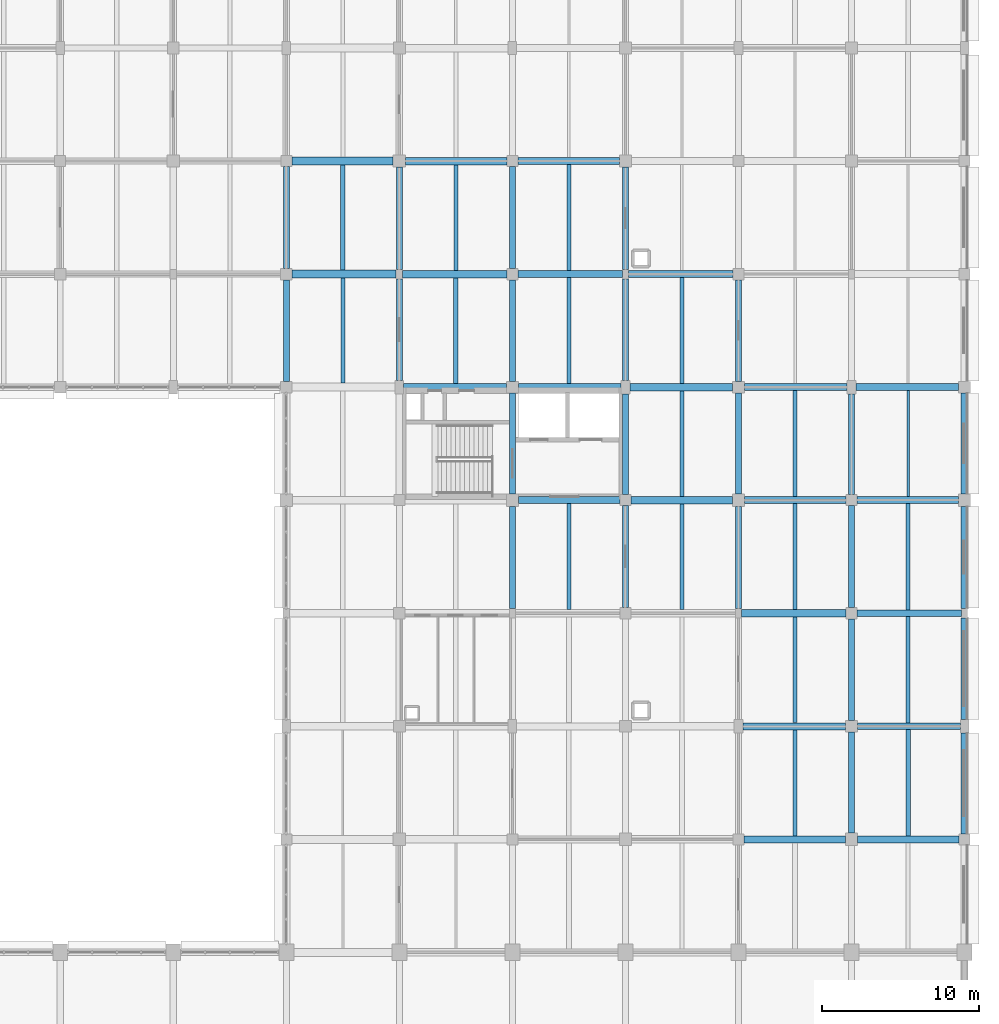
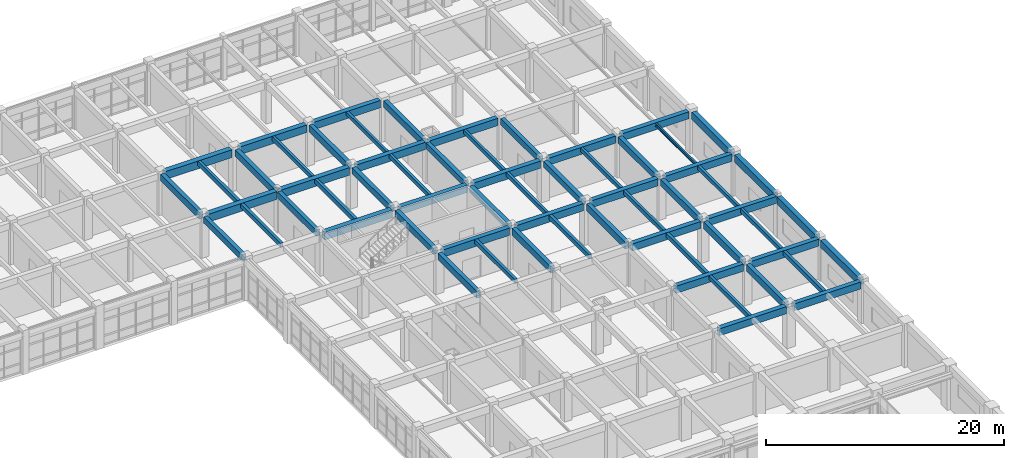
# One storey, part 110 of 171: 63 beams.
"""IFC4 building model written with IfcOpenShell, lengths in metres."""

from ifc_helpers import new_model, si_unit, direction, frame, origin, origin_2d, place, context, subcontext, project, spatial, rectangle, i_section, extrude, material, material_profile, profile_set, type_object, element, save


model = new_model("IFC4")

# Units and contexts
model_context = context("Model", 3, precision=1e-05, world=origin(), true_north=direction((0.0, 1.0)))
body_context = subcontext(model_context, "Body", "Model", "MODEL_VIEW")
ifc_project = project(units=[si_unit("LENGTHUNIT", "METRE"), si_unit("AREAUNIT", "SQUARE_METRE"), si_unit("VOLUMEUNIT", "CUBIC_METRE"), si_unit("PLANEANGLEUNIT", "RADIAN"), si_unit("MASSUNIT", "GRAM", prefix="KILO")], contexts=[model_context])

# Site, building, storey
site_placement = place(None, origin())
site = spatial("IfcSite", under=ifc_project, at=site_placement, CompositionType="ELEMENT")
building_placement = place(site_placement, origin())
building = spatial("IfcBuilding", under=site, at=building_placement, Name="Thalmaran Polytechnic", CompositionType="ELEMENT")
storey_placement = place(building_placement, frame((0.0, 0.0, 5.39990234375)))
storey = spatial("IfcBuildingStorey", under=building, at=storey_placement, Name="L01", CompositionType="ELEMENT", Elevation=5.39990234375)

# Beams
ifc_material_1 = material(Name="Concrete C40/50", Category="concrete")
ifc_material_profile_1 = material_profile(ifc_material_1, rectangle(XDim=0.5, YDim=0.800048828125, at=origin_2d()), Name="RC 500x800")
ifc_profile_set_1 = profile_set([ifc_material_profile_1], Name="Concrete C40/50")
beam_type_1 = type_object("IfcBeamType", Name="BM-RC02", PredefinedType="BEAM", material=ifc_profile_set_1)
beam_1_placement = place(storey_placement, frame((129.9599609375, 100.800048828125, 3.81005859375), z_axis=(1.0, 0.0, 0.0), x_axis=(0.0, 1.0, 0.0)))
element("IfcBeam", 1, at=beam_1_placement, inside=storey, type_object=beam_type_1, Name="Grid Beam B02 L01 X(18,14)", PredefinedType="BEAM", context=body_context, shape_type="SweptSolid", body=[
    extrude(rectangle(XDim=0.5, YDim=0.800048828125, at=origin_2d()), origin(), (0.0, 0.0, 1.0), 6.64013671875),
])
beam_2_placement = place(storey_placement, frame((129.949951171875, 108.0, 3.81005859375), z_axis=(1.0, 0.0, 0.0), x_axis=(0.0, 1.0, 0.0)))
element("IfcBeam", 2, at=beam_2_placement, inside=storey, type_object=beam_type_1, Name="Grid Beam B02 L01 X(18,15)", PredefinedType="BEAM", context=body_context, shape_type="SweptSolid", body=[
    extrude(rectangle(XDim=0.5, YDim=0.800048828125, at=origin_2d()), origin(), (0.0, 0.0, 1.0), 6.4599609375),
])
ifc_material_profile_2 = material_profile(ifc_material_1, rectangle(XDim=0.449951171875, YDim=0.75, at=origin_2d()), Name="RC 450x750")
ifc_profile_set_2 = profile_set([ifc_material_profile_2], Name="Concrete C40/50")
beam_type_2 = type_object("IfcBeamType", Name="BM-RC03", PredefinedType="BEAM", material=ifc_profile_set_2)
beam_3_placement = place(storey_placement, frame((144.389892578125, 86.39990234375, 3.835205078125), z_axis=(1.0, 0.0, 0.0), x_axis=(0.0, 1.0, 0.0)))
element("IfcBeam", 3, at=beam_3_placement, inside=storey, type_object=beam_type_2, Name="Grid Beam B03 L01 X(20,12)", PredefinedType="BEAM", context=body_context, shape_type="SweptSolid", body=[
    extrude(rectangle(XDim=0.449951171875, YDim=0.75, at=origin_2d()), origin(), (0.0, 0.0, 1.0), 6.460205078125),
])
beam_4_placement = place(storey_placement, frame((144.375, 93.60009765625, 3.835205078125), z_axis=(1.0, 0.0, 0.0), x_axis=(0.0, 1.0, 0.0)))
element("IfcBeam", 4, at=beam_4_placement, inside=storey, type_object=beam_type_2, Name="Grid Beam B03 L01 X(20,13)", PredefinedType="BEAM", context=body_context, shape_type="SweptSolid", body=[
    extrude(rectangle(XDim=0.449951171875, YDim=0.75, at=origin_2d()), origin(), (0.0, 0.0, 1.0), 6.550048828125),
])
beam_5_placement = place(storey_placement, frame((144.360107421875, 100.800048828125, 3.835205078125), z_axis=(1.0, 0.0, 0.0), x_axis=(0.0, 1.0, 0.0)))
element("IfcBeam", 5, at=beam_5_placement, inside=storey, type_object=beam_type_2, Name="Grid Beam B03 L01 X(20,14)", PredefinedType="BEAM", context=body_context, shape_type="SweptSolid", body=[
    extrude(rectangle(XDim=0.449951171875, YDim=0.75, at=origin_2d()), origin(), (0.0, 0.0, 1.0), 6.639892578125),
])
beam_6_placement = place(storey_placement, frame((144.35009765625, 108.0, 3.835205078125), z_axis=(1.0, 0.0, 0.0), x_axis=(0.0, 1.0, 0.0)))
element("IfcBeam", 6, at=beam_6_placement, inside=storey, type_object=beam_type_2, Name="Grid Beam B03 L01 X(20,15)", PredefinedType="BEAM", context=body_context, shape_type="SweptSolid", body=[
    extrude(rectangle(XDim=0.449951171875, YDim=0.75, at=origin_2d()), origin(), (0.0, 0.0, 1.0), 6.4599609375),
])
ifc_material_profile_3 = material_profile(ifc_material_1, rectangle(XDim=0.449951171875, YDim=0.72509765625, at=origin_2d()), Name="RC 450x725")
ifc_profile_set_3 = profile_set([ifc_material_profile_3], Name="Concrete C40/50")
beam_type_3 = type_object("IfcBeamType", Name="BM-RC04", PredefinedType="BEAM", material=ifc_profile_set_3)
beam_7_placement = place(storey_placement, frame((158.75, 64.800048828125, 3.84765625), z_axis=(1.0, 0.0, 0.0), x_axis=(0.0, 1.0, 0.0)))
element("IfcBeam", 7, at=beam_7_placement, inside=storey, type_object=beam_type_3, Name="Grid Beam B04 L01 X(22,9)", PredefinedType="BEAM", context=body_context, shape_type="SweptSolid", body=[
    extrude(rectangle(XDim=0.449951171875, YDim=0.72509765625, at=origin_2d()), origin(), (0.0, 0.0, 1.0), 6.4599609375),
])
beam_8_placement = place(storey_placement, frame((158.675048828125, 72.0, 3.84765625), z_axis=(1.0, 0.0, 0.0), x_axis=(0.0, 1.0, 0.0)))
element("IfcBeam", 8, at=beam_8_placement, inside=storey, type_object=beam_type_3, Name="Grid Beam B04 L01 X(22,10)", PredefinedType="BEAM", context=body_context, shape_type="SweptSolid", body=[
    extrude(rectangle(XDim=0.449951171875, YDim=0.72509765625, at=origin_2d()), origin(), (0.0, 0.0, 1.0), 6.550048828125),
])
beam_9_placement = place(storey_placement, frame((158.60009765625, 79.199951171875, 3.84765625), z_axis=(1.0, 0.0, 0.0), x_axis=(0.0, 1.0, 0.0)))
element("IfcBeam", 9, at=beam_9_placement, inside=storey, type_object=beam_type_3, Name="Grid Beam B04 L01 X(22,11)", PredefinedType="BEAM", context=body_context, shape_type="SweptSolid", body=[
    extrude(rectangle(XDim=0.449951171875, YDim=0.72509765625, at=origin_2d()), origin(), (0.0, 0.0, 1.0), 6.639892578125),
])
beam_10_placement = place(storey_placement, frame((158.7900390625, 86.39990234375, 3.84765625), z_axis=(1.0, 0.0, 0.0), x_axis=(0.0, 1.0, 0.0)))
element("IfcBeam", 10, at=beam_10_placement, inside=storey, type_object=beam_type_3, Name="Grid Beam B04 L01 X(22,12)", PredefinedType="BEAM", context=body_context, shape_type="SweptSolid", body=[
    extrude(rectangle(XDim=0.449951171875, YDim=0.72509765625, at=origin_2d()), origin(), (0.0, 0.0, 1.0), 6.4599609375),
])
beam_11_placement = place(storey_placement, frame((158.77490234375, 93.60009765625, 3.84765625), z_axis=(1.0, 0.0, 0.0), x_axis=(0.0, 1.0, 0.0)))
element("IfcBeam", 11, at=beam_11_placement, inside=storey, type_object=beam_type_3, Name="Grid Beam B04 L01 X(22,13)", PredefinedType="BEAM", context=body_context, shape_type="SweptSolid", body=[
    extrude(rectangle(XDim=0.449951171875, YDim=0.72509765625, at=origin_2d()), origin(), (0.0, 0.0, 1.0), 6.550048828125),
])
ifc_material_profile_4 = material_profile(ifc_material_1, rectangle(XDim=0.39990234375, YDim=0.6298828125, at=origin_2d()), Name="RC 400x630")
ifc_profile_set_4 = profile_set([ifc_material_profile_4], Name="Concrete C40/50")
beam_type_4 = type_object("IfcBeamType", Name="BM-RC07", PredefinedType="BEAM", material=ifc_profile_set_4)
beam_12_placement = place(storey_placement, frame((144.0, 86.7900390625, 3.89501953125), z_axis=(0.0, 1.0, 0.0), x_axis=(-1.0, 0.0, 0.0)))
element("IfcBeam", 12, at=beam_12_placement, inside=storey, type_object=beam_type_4, Name="Grid Beam B07 L01 Y(20,12)", PredefinedType="BEAM", context=body_context, shape_type="SweptSolid", body=[
    extrude(rectangle(XDim=0.39990234375, YDim=0.6298828125, at=origin_2d()), origin(), (0.0, 0.0, 1.0), 6.43505859375),
])
beam_13_placement = place(storey_placement, frame((151.199951171875, 86.75, 3.89501953125), z_axis=(0.0, 1.0, 0.0), x_axis=(-1.0, 0.0, 0.0)))
element("IfcBeam", 13, at=beam_13_placement, inside=storey, type_object=beam_type_4, Name="Grid Beam B07 L01 Y(21,12)", PredefinedType="BEAM", context=body_context, shape_type="SweptSolid", body=[
    extrude(rectangle(XDim=0.39990234375, YDim=0.6298828125, at=origin_2d()), origin(), (0.0, 0.0, 1.0), 6.425048828125),
])
beam_14_placement = place(storey_placement, frame((158.39990234375, 86.7900390625, 3.89501953125), z_axis=(0.0, 1.0, 0.0), x_axis=(-1.0, 0.0, 0.0)))
element("IfcBeam", 14, at=beam_14_placement, inside=storey, type_object=beam_type_4, Name="Grid Beam B07 L01 Y(22,12)", PredefinedType="BEAM", context=body_context, shape_type="SweptSolid", body=[
    extrude(rectangle(XDim=0.39990234375, YDim=0.6298828125, at=origin_2d()), origin(), (0.0, 0.0, 1.0), 6.43505859375),
])
beam_15_placement = place(storey_placement, frame((165.60009765625, 86.75, 3.89501953125), z_axis=(0.0, 1.0, 0.0), x_axis=(-1.0, 0.0, 0.0)))
element("IfcBeam", 15, at=beam_15_placement, inside=storey, type_object=beam_type_4, Name="Grid Beam B07 L01 Y(23,12)", PredefinedType="BEAM", context=body_context, shape_type="SweptSolid", body=[
    extrude(rectangle(XDim=0.39990234375, YDim=0.6298828125, at=origin_2d()), origin(), (0.0, 0.0, 1.0), 6.425048828125),
])
ifc_material_profile_5 = material_profile(ifc_material_1, rectangle(XDim=0.389892578125, YDim=0.68505859375, at=origin_2d()), Name="RC 390x685")
ifc_profile_set_5 = profile_set([ifc_material_profile_5], Name="Concrete C40/50")
beam_type_5 = type_object("IfcBeamType", Name="BM-RC08", PredefinedType="BEAM", material=ifc_profile_set_5)
beam_16_placement = place(storey_placement, frame((129.60009765625, 101.159912109375, 3.86767578125), z_axis=(0.0, 1.0, 0.0), x_axis=(-1.0, 0.0, 0.0)))
element("IfcBeam", 16, at=beam_16_placement, inside=storey, type_object=beam_type_5, Name="Grid Beam B08 L01 Y(18,14)", PredefinedType="BEAM", context=body_context, shape_type="SweptSolid", body=[
    extrude(rectangle(XDim=0.389892578125, YDim=0.68505859375, at=origin_2d()), origin(), (0.0, 0.0, 1.0), 6.489990234375),
])
beam_17_placement = place(storey_placement, frame((136.800048828125, 101.10009765625, 3.86767578125), z_axis=(0.0, 1.0, 0.0), x_axis=(-1.0, 0.0, 0.0)))
element("IfcBeam", 17, at=beam_17_placement, inside=storey, type_object=beam_type_5, Name="Grid Beam B08 L01 Y(19,14)", PredefinedType="BEAM", context=body_context, shape_type="SweptSolid", body=[
    extrude(rectangle(XDim=0.389892578125, YDim=0.68505859375, at=origin_2d()), origin(), (0.0, 0.0, 1.0), 6.510009765625),
])
beam_18_placement = place(storey_placement, frame((144.0, 101.159912109375, 3.86767578125), z_axis=(0.0, 1.0, 0.0), x_axis=(-1.0, 0.0, 0.0)))
element("IfcBeam", 18, at=beam_18_placement, inside=storey, type_object=beam_type_5, Name="Grid Beam B08 L01 Y(20,14)", PredefinedType="BEAM", context=body_context, shape_type="SweptSolid", body=[
    extrude(rectangle(XDim=0.389892578125, YDim=0.68505859375, at=origin_2d()), origin(), (0.0, 0.0, 1.0), 6.489990234375),
])
beam_19_placement = place(storey_placement, frame((151.199951171875, 101.10009765625, 3.86767578125), z_axis=(0.0, 1.0, 0.0), x_axis=(-1.0, 0.0, 0.0)))
element("IfcBeam", 19, at=beam_19_placement, inside=storey, type_object=beam_type_5, Name="Grid Beam B08 L01 Y(21,14)", PredefinedType="BEAM", context=body_context, shape_type="SweptSolid", body=[
    extrude(rectangle(XDim=0.389892578125, YDim=0.68505859375, at=origin_2d()), origin(), (0.0, 0.0, 1.0), 6.510009765625),
])
ifc_material_profile_6 = material_profile(ifc_material_1, rectangle(XDim=0.389892578125, YDim=0.68994140625, at=origin_2d()), Name="RC 390x690")
ifc_profile_set_6 = profile_set([ifc_material_profile_6], Name="Concrete C40/50")
beam_type_6 = type_object("IfcBeamType", Name="BM-RC09", PredefinedType="BEAM", material=ifc_profile_set_6)
beam_20_placement = place(storey_placement, frame((165.60009765625, 65.18994140625, 3.864990234375), z_axis=(0.0, 1.0, 0.0), x_axis=(-1.0, 0.0, 0.0)))
element("IfcBeam", 20, at=beam_20_placement, inside=storey, type_object=beam_type_6, Name="Grid Beam B09 L01 Y(23,9)", PredefinedType="BEAM", context=body_context, shape_type="SweptSolid", body=[
    extrude(rectangle(XDim=0.389892578125, YDim=0.68994140625, at=origin_2d()), origin(), (0.0, 0.0, 1.0), 6.43505859375),
])
ifc_material_profile_7 = material_profile(ifc_material_1, rectangle(XDim=0.389892578125, YDim=0.695068359375, at=origin_2d()), Name="RC 390x695")
ifc_profile_set_7 = profile_set([ifc_material_profile_7], Name="Concrete C40/50")
beam_type_7 = type_object("IfcBeamType", Name="BM-RC10", PredefinedType="BEAM", material=ifc_profile_set_7)
beam_21_placement = place(storey_placement, frame((144.0, 79.5, 3.862548828125), z_axis=(0.0, 1.0, 0.0), x_axis=(-1.0, 0.0, 0.0)))
element("IfcBeam", 21, at=beam_21_placement, inside=storey, type_object=beam_type_7, Name="Grid Beam B10 L01 Y(20,11)", PredefinedType="BEAM", context=body_context, shape_type="SweptSolid", body=[
    extrude(rectangle(XDim=0.389892578125, YDim=0.695068359375, at=origin_2d()), origin(), (0.0, 0.0, 1.0), 6.510009765625),
])
beam_22_placement = place(storey_placement, frame((151.199951171875, 79.56005859375, 3.862548828125), z_axis=(0.0, 1.0, 0.0), x_axis=(-1.0, 0.0, 0.0)))
element("IfcBeam", 22, at=beam_22_placement, inside=storey, type_object=beam_type_7, Name="Grid Beam B10 L01 Y(21,11)", PredefinedType="BEAM", context=body_context, shape_type="SweptSolid", body=[
    extrude(rectangle(XDim=0.389892578125, YDim=0.695068359375, at=origin_2d()), origin(), (0.0, 0.0, 1.0), 6.489990234375),
])
beam_23_placement = place(storey_placement, frame((158.39990234375, 79.5, 3.862548828125), z_axis=(0.0, 1.0, 0.0), x_axis=(-1.0, 0.0, 0.0)))
element("IfcBeam", 23, at=beam_23_placement, inside=storey, type_object=beam_type_7, Name="Grid Beam B10 L01 Y(22,11)", PredefinedType="BEAM", context=body_context, shape_type="SweptSolid", body=[
    extrude(rectangle(XDim=0.389892578125, YDim=0.695068359375, at=origin_2d()), origin(), (0.0, 0.0, 1.0), 6.510009765625),
])
beam_24_placement = place(storey_placement, frame((165.60009765625, 79.56005859375, 3.862548828125), z_axis=(0.0, 1.0, 0.0), x_axis=(-1.0, 0.0, 0.0)))
element("IfcBeam", 24, at=beam_24_placement, inside=storey, type_object=beam_type_7, Name="Grid Beam B10 L01 Y(23,11)", PredefinedType="BEAM", context=body_context, shape_type="SweptSolid", body=[
    extrude(rectangle(XDim=0.389892578125, YDim=0.695068359375, at=origin_2d()), origin(), (0.0, 0.0, 1.0), 6.489990234375),
])
ifc_material_profile_8 = material_profile(ifc_material_1, rectangle(XDim=0.280029296875, YDim=0.449951171875, at=origin_2d()), Name="RC 280x450")
ifc_profile_set_8 = profile_set([ifc_material_profile_8], Name="Concrete C40/50")
beam_type_8 = type_object("IfcBeamType", Name="BM-RC13", PredefinedType="JOIST", material=ifc_profile_set_8)
beam_25_placement = place(storey_placement, frame((133.199951171875, 101.050048828125, 3.985107421875), z_axis=(0.0, 1.0, 0.0), x_axis=(-1.0, 0.0, 0.0)))
element("IfcBeam", 25, at=beam_25_placement, inside=storey, type_object=beam_type_8, Name="Secondary Floor Rib RB03 L01 (18,14)", PredefinedType="JOIST", context=body_context, shape_type="SweptSolid", body=[
    extrude(rectangle(XDim=0.280029296875, YDim=0.449951171875, at=origin_2d()), origin(), (0.0, 0.0, 1.0), 6.699951171875),
])
beam_26_placement = place(storey_placement, frame((140.39990234375, 93.840087890625, 3.985107421875), z_axis=(0.0, 1.0, 0.0), x_axis=(-1.0, 0.0, 0.0)))
element("IfcBeam", 26, at=beam_26_placement, inside=storey, type_object=beam_type_8, Name="Secondary Floor Rib RB03 L01 (19,13)", PredefinedType="JOIST", context=body_context, shape_type="SweptSolid", body=[
    extrude(rectangle(XDim=0.280029296875, YDim=0.449951171875, at=origin_2d()), origin(), (0.0, 0.0, 1.0), 6.719970703125),
])
beam_27_placement = place(storey_placement, frame((154.800048828125, 79.429931640625, 3.985107421875), z_axis=(0.0, 1.0, 0.0), x_axis=(-1.0, 0.0, 0.0)))
element("IfcBeam", 27, at=beam_27_placement, inside=storey, type_object=beam_type_8, Name="Secondary Floor Rib RB03 L01 (21,11)", PredefinedType="JOIST", context=body_context, shape_type="SweptSolid", body=[
    extrude(rectangle(XDim=0.280029296875, YDim=0.449951171875, at=origin_2d()), origin(), (0.0, 0.0, 1.0), 6.739990234375),
])
beam_28_placement = place(storey_placement, frame((162.0, 72.22509765625, 3.985107421875), z_axis=(0.0, 1.0, 0.0), x_axis=(-1.0, 0.0, 0.0)))
element("IfcBeam", 28, at=beam_28_placement, inside=storey, type_object=beam_type_8, Name="Secondary Floor Rib RB03 L01 (22,10)", PredefinedType="JOIST", context=body_context, shape_type="SweptSolid", body=[
    extrude(rectangle(XDim=0.280029296875, YDim=0.449951171875, at=origin_2d()), origin(), (0.0, 0.0, 1.0), 6.75),
])
beam_29_placement = place(storey_placement, frame((169.199951171875, 65.02001953125, 3.985107421875), z_axis=(0.0, 1.0, 0.0), x_axis=(-1.0, 0.0, 0.0)))
element("IfcBeam", 29, at=beam_29_placement, inside=storey, type_object=beam_type_8, Name="Secondary Floor Rib RB03 L01 (23,9)", PredefinedType="JOIST", context=body_context, shape_type="SweptSolid", body=[
    extrude(rectangle(XDim=0.280029296875, YDim=0.449951171875, at=origin_2d()), origin(), (0.0, 0.0, 1.0), 6.760009765625),
])
ifc_material_2 = material(Name="Steel S355", Category="steel")
ifc_material_profile_9 = material_profile(ifc_material_2, i_section(OverallWidth=0.159912109375, OverallDepth=0.330078125, WebThickness=0.007568359375, FlangeThickness=0.011474609375, at=origin_2d()), Name="IPE 330")
ifc_profile_set_9 = profile_set([ifc_material_profile_9], Name="Steel S355")
beam_type_9 = type_object("IfcBeamType", Name="BM-SJ02", PredefinedType="JOIST", material=ifc_profile_set_9)
beam_30_placement = place(storey_placement, frame((169.199951171875, 86.6201171875, 4.045166015625), z_axis=(0.0, 1.0, 0.0), x_axis=(-1.0, 0.0, 0.0)))
element("IfcBeam", 30, at=beam_30_placement, inside=storey, type_object=beam_type_9, Name="Secondary Floor Rib SJ02 L01 (23,12)", PredefinedType="JOIST", context=body_context, shape_type="SweptSolid", body=[
    extrude(i_section(OverallWidth=0.159912109375, OverallDepth=0.330078125, WebThickness=0.007568359375, FlangeThickness=0.011474609375, at=origin_2d()), origin(), (0.0, 0.0, 1.0), 6.759765625),
])
ifc_material_profile_10 = material_profile(ifc_material_1, rectangle(XDim=0.449951171875, YDim=0.7548828125, at=origin_2d()), Name="RC 450x755")
ifc_profile_set_10 = profile_set([ifc_material_profile_10], Name="Concrete C40/50")
beam_type_10 = type_object("IfcBeamType", Name="BM-SP02", PredefinedType="SPANDREL", material=ifc_profile_set_10)
beam_31_placement = place(storey_placement, frame((172.800048828125, 65.14990234375, 3.83251953125), z_axis=(0.0, 1.0, 0.0), x_axis=(-1.0, 0.0, 0.0)))
element("IfcBeam", 31, at=beam_31_placement, inside=storey, type_object=beam_type_10, Name="Grid Beam SP02 L01 Y(24,9)", PredefinedType="SPANDREL", context=body_context, shape_type="SweptSolid", body=[
    extrude(rectangle(XDim=0.449951171875, YDim=0.7548828125, at=origin_2d()), origin(), (0.0, 0.0, 1.0), 6.425048828125),
])
beam_32_placement = place(storey_placement, frame((172.800048828125, 72.425048828125, 3.83251953125), z_axis=(0.0, 1.0, 0.0), x_axis=(-1.0, 0.0, 0.0)))
element("IfcBeam", 32, at=beam_32_placement, inside=storey, type_object=beam_type_10, Name="Grid Beam SP02 L01 Y(24,10)", PredefinedType="SPANDREL", context=body_context, shape_type="SweptSolid", body=[
    extrude(rectangle(XDim=0.449951171875, YDim=0.7548828125, at=origin_2d()), origin(), (0.0, 0.0, 1.0), 6.474853515625),
])
beam_33_placement = place(storey_placement, frame((172.800048828125, 79.5, 3.83251953125), z_axis=(0.0, 1.0, 0.0), x_axis=(-1.0, 0.0, 0.0)))
element("IfcBeam", 33, at=beam_33_placement, inside=storey, type_object=beam_type_10, Name="Grid Beam SP02 L01 Y(24,11)", PredefinedType="SPANDREL", context=body_context, shape_type="SweptSolid", body=[
    extrude(rectangle(XDim=0.449951171875, YDim=0.7548828125, at=origin_2d()), origin(), (0.0, 0.0, 1.0), 6.510009765625),
])
beam_34_placement = place(storey_placement, frame((172.800048828125, 86.7900390625, 3.83251953125), z_axis=(0.0, 1.0, 0.0), x_axis=(-1.0, 0.0, 0.0)))
element("IfcBeam", 34, at=beam_34_placement, inside=storey, type_object=beam_type_10, Name="Grid Beam SP02 L01 Y(24,12)", PredefinedType="SPANDREL", context=body_context, shape_type="SweptSolid", body=[
    extrude(rectangle(XDim=0.449951171875, YDim=0.7548828125, at=origin_2d()), origin(), (0.0, 0.0, 1.0), 6.43505859375),
])
ifc_material_profile_11 = material_profile(ifc_material_1, rectangle(XDim=0.47998046875, YDim=0.780029296875, at=origin_2d()), Name="RC 480x780")
ifc_profile_set_11 = profile_set([ifc_material_profile_11], Name="Concrete C40/50")
beam_type_11 = type_object("IfcBeamType", Name="BM-ZB01", PredefinedType="BEAM", material=ifc_profile_set_11)
beam_35_placement = place(storey_placement, frame((137.074951171875, 93.60009765625, 3.820068359375), z_axis=(1.0, 0.0, 0.0), x_axis=(0.0, 1.0, 0.0)))
element("IfcBeam", 35, at=beam_35_placement, inside=storey, type_object=beam_type_11, Name="Grid Beam ZB01 L01 X(19,13)", PredefinedType="BEAM", context=body_context, shape_type="SweptSolid", body=[
    extrude(rectangle(XDim=0.47998046875, YDim=0.780029296875, at=origin_2d()), origin(), (0.0, 0.0, 1.0), 6.550048828125),
])
beam_36_placement = place(storey_placement, frame((137.0, 100.800048828125, 3.820068359375), z_axis=(1.0, 0.0, 0.0), x_axis=(0.0, 1.0, 0.0)))
element("IfcBeam", 36, at=beam_36_placement, inside=storey, type_object=beam_type_11, Name="Grid Beam ZB01 L01 X(19,14)", PredefinedType="BEAM", context=body_context, shape_type="SweptSolid", body=[
    extrude(rectangle(XDim=0.47998046875, YDim=0.780029296875, at=origin_2d()), origin(), (0.0, 0.0, 1.0), 6.639892578125),
])
beam_37_placement = place(storey_placement, frame((137.18994140625, 108.0, 3.820068359375), z_axis=(1.0, 0.0, 0.0), x_axis=(0.0, 1.0, 0.0)))
element("IfcBeam", 37, at=beam_37_placement, inside=storey, type_object=beam_type_11, Name="Grid Beam ZB01 L01 X(19,15)", PredefinedType="BEAM", context=body_context, shape_type="SweptSolid", body=[
    extrude(rectangle(XDim=0.47998046875, YDim=0.780029296875, at=origin_2d()), origin(), (0.0, 0.0, 1.0), 6.4599609375),
])
ifc_material_profile_12 = material_profile(ifc_material_1, rectangle(XDim=0.4599609375, YDim=0.739990234375, at=origin_2d()), Name="RC 460x740")
ifc_profile_set_12 = profile_set([ifc_material_profile_12], Name="Concrete C40/50")
beam_type_12 = type_object("IfcBeamType", Name="BM-ZB02", PredefinedType="BEAM", material=ifc_profile_set_12)
beam_38_placement = place(storey_placement, frame((151.550048828125, 86.39990234375, 3.840087890625), z_axis=(1.0, 0.0, 0.0), x_axis=(0.0, 1.0, 0.0)))
element("IfcBeam", 38, at=beam_38_placement, inside=storey, type_object=beam_type_12, Name="Grid Beam ZB02 L01 X(21,12)", PredefinedType="BEAM", context=body_context, shape_type="SweptSolid", body=[
    extrude(rectangle(XDim=0.4599609375, YDim=0.739990234375, at=origin_2d()), origin(), (0.0, 0.0, 1.0), 6.4599609375),
])
beam_39_placement = place(storey_placement, frame((151.47509765625, 93.60009765625, 3.840087890625), z_axis=(1.0, 0.0, 0.0), x_axis=(0.0, 1.0, 0.0)))
element("IfcBeam", 39, at=beam_39_placement, inside=storey, type_object=beam_type_12, Name="Grid Beam ZB02 L01 X(21,13)", PredefinedType="BEAM", context=body_context, shape_type="SweptSolid", body=[
    extrude(rectangle(XDim=0.4599609375, YDim=0.739990234375, at=origin_2d()), origin(), (0.0, 0.0, 1.0), 6.5498046875),
])
beam_40_placement = place(storey_placement, frame((151.39990234375, 100.800048828125, 3.840087890625), z_axis=(1.0, 0.0, 0.0), x_axis=(0.0, 1.0, 0.0)))
element("IfcBeam", 40, at=beam_40_placement, inside=storey, type_object=beam_type_12, Name="Grid Beam ZB02 L01 X(21,14)", PredefinedType="BEAM", context=body_context, shape_type="SweptSolid", body=[
    extrude(rectangle(XDim=0.4599609375, YDim=0.739990234375, at=origin_2d()), origin(), (0.0, 0.0, 1.0), 6.64013671875),
])
ifc_material_profile_13 = material_profile(ifc_material_1, rectangle(XDim=0.43994140625, YDim=0.719970703125, at=origin_2d()), Name="RC 440x720")
ifc_profile_set_13 = profile_set([ifc_material_profile_13], Name="Concrete C40/50")
beam_type_13 = type_object("IfcBeamType", Name="BM-ZB03", PredefinedType="BEAM", material=ifc_profile_set_13)
beam_41_placement = place(storey_placement, frame((165.989990234375, 64.800048828125, 3.85009765625), z_axis=(1.0, 0.0, 0.0), x_axis=(0.0, 1.0, 0.0)))
element("IfcBeam", 41, at=beam_41_placement, inside=storey, type_object=beam_type_13, Name="Grid Beam ZB03 L01 X(23,9)", PredefinedType="BEAM", context=body_context, shape_type="SweptSolid", body=[
    extrude(rectangle(XDim=0.43994140625, YDim=0.719970703125, at=origin_2d()), origin(), (0.0, 0.0, 1.0), 6.4599609375),
])
beam_42_placement = place(storey_placement, frame((165.97509765625, 72.0, 3.85009765625), z_axis=(1.0, 0.0, 0.0), x_axis=(0.0, 1.0, 0.0)))
element("IfcBeam", 42, at=beam_42_placement, inside=storey, type_object=beam_type_13, Name="Grid Beam ZB03 L01 X(23,10)", PredefinedType="BEAM", context=body_context, shape_type="SweptSolid", body=[
    extrude(rectangle(XDim=0.43994140625, YDim=0.719970703125, at=origin_2d()), origin(), (0.0, 0.0, 1.0), 6.5498046875),
])
beam_43_placement = place(storey_placement, frame((165.9599609375, 79.199951171875, 3.85009765625), z_axis=(1.0, 0.0, 0.0), x_axis=(0.0, 1.0, 0.0)))
element("IfcBeam", 43, at=beam_43_placement, inside=storey, type_object=beam_type_13, Name="Grid Beam ZB03 L01 X(23,11)", PredefinedType="BEAM", context=body_context, shape_type="SweptSolid", body=[
    extrude(rectangle(XDim=0.43994140625, YDim=0.719970703125, at=origin_2d()), origin(), (0.0, 0.0, 1.0), 6.64013671875),
])
beam_44_placement = place(storey_placement, frame((165.949951171875, 86.39990234375, 3.85009765625), z_axis=(1.0, 0.0, 0.0), x_axis=(0.0, 1.0, 0.0)))
element("IfcBeam", 44, at=beam_44_placement, inside=storey, type_object=beam_type_13, Name="Grid Beam ZB03 L01 X(23,12)", PredefinedType="BEAM", context=body_context, shape_type="SweptSolid", body=[
    extrude(rectangle(XDim=0.43994140625, YDim=0.719970703125, at=origin_2d()), origin(), (0.0, 0.0, 1.0), 6.4599609375),
])
beam_45_placement = place(storey_placement, frame((165.875, 93.60009765625, 3.85009765625), z_axis=(1.0, 0.0, 0.0), x_axis=(0.0, 1.0, 0.0)))
element("IfcBeam", 45, at=beam_45_placement, inside=storey, type_object=beam_type_13, Name="Grid Beam ZB03 L01 X(23,13)", PredefinedType="BEAM", context=body_context, shape_type="SweptSolid", body=[
    extrude(rectangle(XDim=0.43994140625, YDim=0.719970703125, at=origin_2d()), origin(), (0.0, 0.0, 1.0), 6.550048828125),
])
ifc_material_profile_14 = material_profile(ifc_material_1, rectangle(XDim=0.3798828125, YDim=0.635009765625, at=origin_2d()), Name="RC 380x635")
ifc_profile_set_14 = profile_set([ifc_material_profile_14], Name="Concrete C40/50")
beam_type_14 = type_object("IfcBeamType", Name="BM-ZB06", PredefinedType="BEAM", material=ifc_profile_set_14)
beam_46_placement = place(storey_placement, frame((129.60009765625, 93.97509765625, 3.892578125), z_axis=(0.0, 1.0, 0.0), x_axis=(-1.0, 0.0, 0.0)))
element("IfcBeam", 46, at=beam_46_placement, inside=storey, type_object=beam_type_14, Name="Grid Beam ZB06 L01 Y(18,13)", PredefinedType="BEAM", context=body_context, shape_type="SweptSolid", body=[
    extrude(rectangle(XDim=0.3798828125, YDim=0.635009765625, at=origin_2d()), origin(), (0.0, 0.0, 1.0), 6.46484375),
])
beam_47_placement = place(storey_placement, frame((136.800048828125, 94.02490234375, 3.892578125), z_axis=(0.0, 1.0, 0.0), x_axis=(-1.0, 0.0, 0.0)))
element("IfcBeam", 47, at=beam_47_placement, inside=storey, type_object=beam_type_14, Name="Grid Beam ZB06 L01 Y(19,13)", PredefinedType="BEAM", context=body_context, shape_type="SweptSolid", body=[
    extrude(rectangle(XDim=0.3798828125, YDim=0.635009765625, at=origin_2d()), origin(), (0.0, 0.0, 1.0), 6.47509765625),
])
beam_48_placement = place(storey_placement, frame((144.0, 93.97509765625, 3.892578125), z_axis=(0.0, 1.0, 0.0), x_axis=(-1.0, 0.0, 0.0)))
element("IfcBeam", 48, at=beam_48_placement, inside=storey, type_object=beam_type_14, Name="Grid Beam ZB06 L01 Y(20,13)", PredefinedType="BEAM", context=body_context, shape_type="SweptSolid", body=[
    extrude(rectangle(XDim=0.3798828125, YDim=0.635009765625, at=origin_2d()), origin(), (0.0, 0.0, 1.0), 6.46484375),
])
beam_49_placement = place(storey_placement, frame((151.199951171875, 94.02490234375, 3.892578125), z_axis=(0.0, 1.0, 0.0), x_axis=(-1.0, 0.0, 0.0)))
element("IfcBeam", 49, at=beam_49_placement, inside=storey, type_object=beam_type_14, Name="Grid Beam ZB06 L01 Y(21,13)", PredefinedType="BEAM", context=body_context, shape_type="SweptSolid", body=[
    extrude(rectangle(XDim=0.3798828125, YDim=0.635009765625, at=origin_2d()), origin(), (0.0, 0.0, 1.0), 6.47509765625),
])
beam_50_placement = place(storey_placement, frame((158.39990234375, 93.97509765625, 3.892578125), z_axis=(0.0, 1.0, 0.0), x_axis=(-1.0, 0.0, 0.0)))
element("IfcBeam", 50, at=beam_50_placement, inside=storey, type_object=beam_type_14, Name="Grid Beam ZB06 L01 Y(22,13)", PredefinedType="BEAM", context=body_context, shape_type="SweptSolid", body=[
    extrude(rectangle(XDim=0.3798828125, YDim=0.635009765625, at=origin_2d()), origin(), (0.0, 0.0, 1.0), 6.46484375),
])
ifc_material_profile_15 = material_profile(ifc_material_1, rectangle(XDim=0.39990234375, YDim=0.695068359375, at=origin_2d()), Name="RC 400x695")
ifc_profile_set_15 = profile_set([ifc_material_profile_15], Name="Concrete C40/50")
beam_type_15 = type_object("IfcBeamType", Name="BM-ZB08", PredefinedType="BEAM", material=ifc_profile_set_15)
beam_51_placement = place(storey_placement, frame((165.60009765625, 72.375, 3.862548828125), z_axis=(0.0, 1.0, 0.0), x_axis=(-1.0, 0.0, 0.0)))
element("IfcBeam", 51, at=beam_51_placement, inside=storey, type_object=beam_type_15, Name="Grid Beam ZB08 L01 Y(23,10)", PredefinedType="BEAM", context=body_context, shape_type="SweptSolid", body=[
    extrude(rectangle(XDim=0.39990234375, YDim=0.695068359375, at=origin_2d()), origin(), (0.0, 0.0, 1.0), 6.465087890625),
])
ifc_material_profile_16 = material_profile(ifc_material_1, rectangle(XDim=0.260009765625, YDim=0.43994140625, at=origin_2d()), Name="RC 260x440")
ifc_profile_set_16 = profile_set([ifc_material_profile_16], Name="Concrete C40/50")
beam_type_16 = type_object("IfcBeamType", Name="BM-ZJ02", PredefinedType="JOIST", material=ifc_profile_set_16)
beam_52_placement = place(storey_placement, frame((133.199951171875, 93.85009765625, 3.989990234375), z_axis=(0.0, 1.0, 0.0), x_axis=(-1.0, 0.0, 0.0)))
element("IfcBeam", 52, at=beam_52_placement, inside=storey, type_object=beam_type_16, Name="Secondary Floor Rib ZJ02 L01 (18,13)", PredefinedType="JOIST", context=body_context, shape_type="SweptSolid", body=[
    extrude(rectangle(XDim=0.260009765625, YDim=0.43994140625, at=origin_2d()), origin(), (0.0, 0.0, 1.0), 6.699951171875),
])
for number, where, z_axis, x_axis, name in (
    (53, (147.60009765625, 79.425048828125, 3.989990234375), (0.0, 1.0, 0.0), (-1.0, 0.0, 0.0), "Secondary Floor Rib ZJ02 L01 (20,11)"),
    (54, (162.0, 65.02490234375, 3.989990234375), (0.0, 1.0, 0.0), (-1.0, 0.0, 0.0), "Secondary Floor Rib ZJ02 L01 (22,9)"),
):
    element("IfcBeam", number, at=place(storey_placement, frame(where, z_axis=z_axis, x_axis=x_axis)), inside=storey, type_object=beam_type_16, Name=name, PredefinedType="JOIST", context=body_context, shape_type="SweptSolid", body=[
        extrude(rectangle(XDim=0.260009765625, YDim=0.43994140625, at=origin_2d()), origin(), (0.0, 0.0, 1.0), 6.75),
    ])
ifc_material_profile_17 = material_profile(ifc_material_1, rectangle(XDim=0.25, YDim=0.419921875, at=origin_2d()), Name="RC 250x420")
ifc_profile_set_17 = profile_set([ifc_material_profile_17], Name="Concrete C40/50")
beam_type_17 = type_object("IfcBeamType", Name="BM-ZJ03", PredefinedType="JOIST", material=ifc_profile_set_17)
beam_53_placement = place(storey_placement, frame((140.39990234375, 101.0400390625, 4.0), z_axis=(0.0, 1.0, 0.0), x_axis=(-1.0, 0.0, 0.0)))
element("IfcBeam", 55, at=beam_53_placement, inside=storey, type_object=beam_type_17, Name="Secondary Floor Rib ZJ03 L01 (19,14)", PredefinedType="JOIST", context=body_context, shape_type="SweptSolid", body=[
    extrude(rectangle(XDim=0.25, YDim=0.419921875, at=origin_2d()), origin(), (0.0, 0.0, 1.0), 6.719970703125),
])
beam_54_placement = place(storey_placement, frame((147.60009765625, 93.824951171875, 4.0), z_axis=(0.0, 1.0, 0.0), x_axis=(-1.0, 0.0, 0.0)))
element("IfcBeam", 56, at=beam_54_placement, inside=storey, type_object=beam_type_17, Name="Secondary Floor Rib ZJ03 L01 (20,13)", PredefinedType="JOIST", context=body_context, shape_type="SweptSolid", body=[
    extrude(rectangle(XDim=0.25, YDim=0.419921875, at=origin_2d()), origin(), (0.0, 0.0, 1.0), 6.75),
])
beam_55_placement = place(storey_placement, frame((154.800048828125, 86.6298828125, 4.0), z_axis=(0.0, 1.0, 0.0), x_axis=(-1.0, 0.0, 0.0)))
element("IfcBeam", 57, at=beam_55_placement, inside=storey, type_object=beam_type_17, Name="Secondary Floor Rib ZJ03 L01 (21,12)", PredefinedType="JOIST", context=body_context, shape_type="SweptSolid", body=[
    extrude(rectangle(XDim=0.25, YDim=0.419921875, at=origin_2d()), origin(), (0.0, 0.0, 1.0), 6.740234375),
])
beam_56_placement = place(storey_placement, frame((162.0, 79.425048828125, 4.0), z_axis=(0.0, 1.0, 0.0), x_axis=(-1.0, 0.0, 0.0)))
element("IfcBeam", 58, at=beam_56_placement, inside=storey, type_object=beam_type_17, Name="Secondary Floor Rib ZJ03 L01 (22,11)", PredefinedType="JOIST", context=body_context, shape_type="SweptSolid", body=[
    extrude(rectangle(XDim=0.25, YDim=0.419921875, at=origin_2d()), origin(), (0.0, 0.0, 1.0), 6.75),
])
beam_57_placement = place(storey_placement, frame((169.199951171875, 72.219970703125, 4.0), z_axis=(0.0, 1.0, 0.0), x_axis=(-1.0, 0.0, 0.0)))
element("IfcBeam", 59, at=beam_57_placement, inside=storey, type_object=beam_type_17, Name="Secondary Floor Rib ZJ03 L01 (23,10)", PredefinedType="JOIST", context=body_context, shape_type="SweptSolid", body=[
    extrude(rectangle(XDim=0.25, YDim=0.419921875, at=origin_2d()), origin(), (0.0, 0.0, 1.0), 6.760009765625),
])
ifc_material_profile_18 = material_profile(ifc_material_1, rectangle(XDim=0.239990234375, YDim=0.39990234375, at=origin_2d()), Name="RC 240x400")
ifc_profile_set_18 = profile_set([ifc_material_profile_18], Name="Concrete C40/50")
beam_type_18 = type_object("IfcBeamType", Name="BM-ZJ04", PredefinedType="JOIST", material=ifc_profile_set_18)
beam_58_placement = place(storey_placement, frame((147.60009765625, 101.02490234375, 4.010009765625), z_axis=(0.0, 1.0, 0.0), x_axis=(-1.0, 0.0, 0.0)))
element("IfcBeam", 60, at=beam_58_placement, inside=storey, type_object=beam_type_18, Name="Secondary Floor Rib ZJ04 L01 (20,14)", PredefinedType="JOIST", context=body_context, shape_type="SweptSolid", body=[
    extrude(rectangle(XDim=0.239990234375, YDim=0.39990234375, at=origin_2d()), origin(), (0.0, 0.0, 1.0), 6.75),
])
beam_59_placement = place(storey_placement, frame((154.800048828125, 93.830078125, 4.010009765625), z_axis=(0.0, 1.0, 0.0), x_axis=(-1.0, 0.0, 0.0)))
element("IfcBeam", 61, at=beam_59_placement, inside=storey, type_object=beam_type_18, Name="Secondary Floor Rib ZJ04 L01 (21,13)", PredefinedType="JOIST", context=body_context, shape_type="SweptSolid", body=[
    extrude(rectangle(XDim=0.239990234375, YDim=0.39990234375, at=origin_2d()), origin(), (0.0, 0.0, 1.0), 6.739990234375),
])
beam_60_placement = place(storey_placement, frame((162.0, 86.625, 4.010009765625), z_axis=(0.0, 1.0, 0.0), x_axis=(-1.0, 0.0, 0.0)))
element("IfcBeam", 62, at=beam_60_placement, inside=storey, type_object=beam_type_18, Name="Secondary Floor Rib ZJ04 L01 (22,12)", PredefinedType="JOIST", context=body_context, shape_type="SweptSolid", body=[
    extrude(rectangle(XDim=0.239990234375, YDim=0.39990234375, at=origin_2d()), origin(), (0.0, 0.0, 1.0), 6.75),
])
beam_61_placement = place(storey_placement, frame((169.199951171875, 79.419921875, 4.010009765625), z_axis=(0.0, 1.0, 0.0), x_axis=(-1.0, 0.0, 0.0)))
element("IfcBeam", 63, at=beam_61_placement, inside=storey, type_object=beam_type_18, Name="Secondary Floor Rib ZJ04 L01 (23,11)", PredefinedType="JOIST", context=body_context, shape_type="SweptSolid", body=[
    extrude(rectangle(XDim=0.239990234375, YDim=0.39990234375, at=origin_2d()), origin(), (0.0, 0.0, 1.0), 6.760009765625),
])

save(model, "model.ifc")
